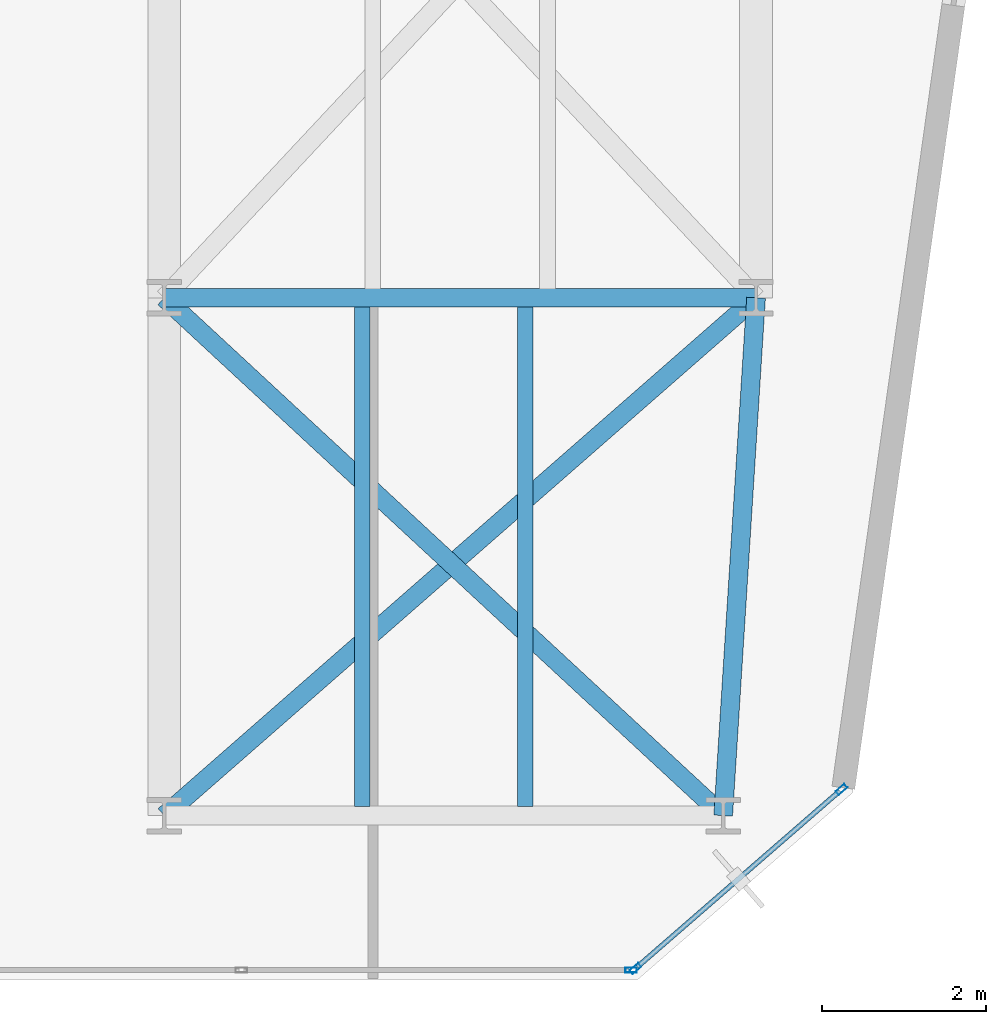
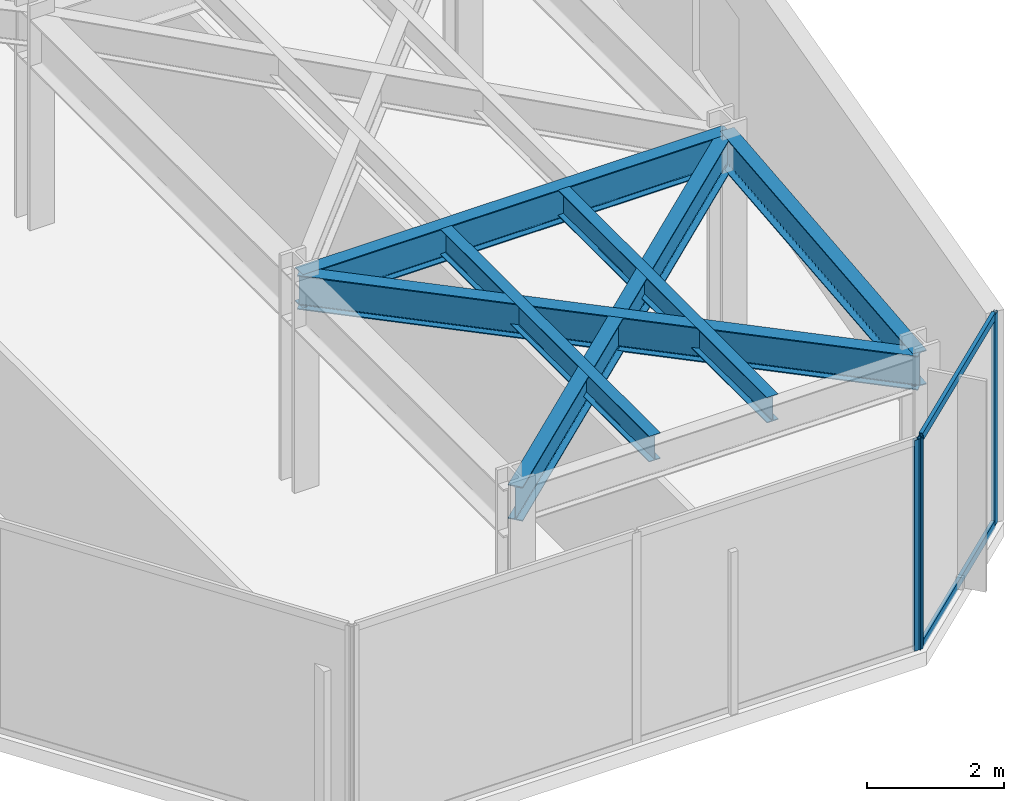
# One storey, part 19 of 26: 6 beams, 5 members, 2 elements without a shape of their own.
"""IFC4 building model written with IfcOpenShell, lengths in metres."""

import ifcopenshell
import ifcopenshell.guid

model = None  # the IFC model being written
_history = None  # IfcOwnerHistory: only IFC2X3 demands one
_inside = {}  # id of a spatial element -> (the spatial element, [elements in it])
_under = {}  # id of a project, library or spatial element -> (it, [spatial elements below it])
_declared = {}  # id of a project -> (the project, [libraries it declares])
_typed = {}  # id of a type object -> (the type object, [elements of that type])
_made_of = {}  # id of a material, layer set ... -> (it, [elements and type objects made of it])


def new_model(schema):
    """Start an empty IFC model of exactly this schema.

    Asked for "IFC4X3", IfcOpenShell would pick the latest addendum, in which some entities
    have other attributes; the version numbers below select the first issue.
    IFC2X3 requires an IfcOwnerHistory on every rooted entity: one is made here for all.
    """
    global model, _history
    if schema == "IFC4X3":
        model = ifcopenshell.file(schema_version=(4, 3, 0, 0))
    else:
        model = ifcopenshell.file(schema=schema)
    _inside.clear()
    _under.clear()
    _declared.clear()
    _typed.clear()
    _made_of.clear()
    _history = None
    if model.schema == "IFC2X3":
        org = make("IfcOrganization", Name="unknown")
        user = make(
            "IfcPersonAndOrganization",
            ThePerson=make("IfcPerson", FamilyName="unknown"),
            TheOrganization=org,
        )
        app = make(
            "IfcApplication",
            ApplicationDeveloper=org,
            Version="unknown",
            ApplicationFullName="unknown",
            ApplicationIdentifier="unknown",
        )
        _history = make(
            "IfcOwnerHistory",
            OwningUser=user,
            OwningApplication=app,
            ChangeAction="ADDED",
            CreationDate=0,
        )
    return model


def make(cls, **values):
    """One entity of the class cls with the attributes given. An attribute that is None is left unset."""
    return model.create_entity(
        cls, **{name: value for name, value in values.items() if value is not None}
    )


def rooted(cls, **values):
    """An entity with a GlobalId (a new one), such as an element, a storey or a relation."""
    return make(cls, GlobalId=ifcopenshell.guid.new(), OwnerHistory=_history, **values)


def si_unit(unit_type, name, prefix=None):
    """IfcSIUnit, for example si_unit("LENGTHUNIT", "METRE", prefix="MILLI")."""
    return make("IfcSIUnit", UnitType=unit_type, Prefix=prefix, Name=name)


def assignment(units):
    """IfcUnitAssignment: the units of a project."""
    return None if units is None else make("IfcUnitAssignment", Units=units)


def point(xyz):
    """IfcCartesianPoint."""
    return None if xyz is None else make("IfcCartesianPoint", Coordinates=xyz)


def direction(xyz):
    """IfcDirection."""
    return None if xyz is None else make("IfcDirection", DirectionRatios=xyz)


def frame(location, z_axis=None, x_axis=None):
    """IfcAxis2Placement3D, a coordinate frame: its origin and axes. An axis left out is left unset."""
    return make(
        "IfcAxis2Placement3D",
        Location=point(location),
        Axis=direction(z_axis),
        RefDirection=direction(x_axis),
    )


def frame_2d(location, x_axis=None):
    """IfcAxis2Placement2D, a coordinate frame in the plane: its origin and x axis."""
    return make(
        "IfcAxis2Placement2D", Location=point(location), RefDirection=direction(x_axis)
    )


def origin():
    """The frame at (0, 0, 0) with its axes left unset."""
    return frame((0.0, 0.0, 0.0))


def origin_2d():
    """The frame at (0, 0) in the plane with its x axis left unset."""
    return frame_2d((0.0, 0.0))


def place(relative_to, where):
    """IfcLocalPlacement: puts the frame where relative to a parent placement (None: the world)."""
    return make(
        "IfcLocalPlacement", PlacementRelTo=relative_to, RelativePlacement=where
    )


def context(
    kind, dimensions, precision=None, world=None, true_north=None, identifier=None
):
    """IfcGeometricRepresentationContext, for example the 3D "Model" context."""
    return make(
        "IfcGeometricRepresentationContext",
        ContextIdentifier=identifier,
        ContextType=kind,
        CoordinateSpaceDimension=dimensions,
        Precision=precision,
        WorldCoordinateSystem=world,
        TrueNorth=true_north,
    )


def subcontext(parent, identifier, kind, view, scale=None):
    """IfcGeometricRepresentationSubContext, for example "Body" below "Model"."""
    return make(
        "IfcGeometricRepresentationSubContext",
        ContextIdentifier=identifier,
        ContextType=kind,
        ParentContext=parent,
        TargetScale=scale,
        TargetView=view,
    )


def project(units=None, contexts=None):
    """IfcProject with its units and contexts."""
    return rooted(
        "IfcProject",
        Name="project",
        RepresentationContexts=contexts,
        UnitsInContext=assignment(units),
    )


def spatial(cls, under=None, at=None, **own):
    """A site, building, storey or space (cls), placed at a placement, below another one or the project."""
    s = rooted(cls, ObjectPlacement=at, **own)
    if under is not None:
        _under.setdefault(under.id(), (under, []))[1].append(s)
    return s


def profile(cls, at=None, kind="AREA", **sizes):
    """A parametric profile (cls). Its sizes go by their IFC names, for example OverallWidth=200.0."""
    return make(cls, ProfileType=kind, Position=at, **sizes)


def hollow_rectangle(**sizes):
    """IfcRectangleHollowProfileDef."""
    return profile("IfcRectangleHollowProfileDef", **sizes)


def i_section(**sizes):
    """IfcIShapeProfileDef."""
    return profile("IfcIShapeProfileDef", **sizes)


def extrude(swept, where, along, depth):
    """IfcExtrudedAreaSolid: the profile swept, set in the frame where, extruded along a direction by depth."""
    return make(
        "IfcExtrudedAreaSolid",
        SweptArea=swept,
        Position=where,
        ExtrudedDirection=direction(along),
        Depth=depth,
    )


def shape(context_of_items, identifier, shape_type, items):
    """IfcShapeRepresentation: the items that make up one representation, for example the "Body"."""
    return make(
        "IfcShapeRepresentation",
        ContextOfItems=context_of_items,
        RepresentationIdentifier=identifier,
        RepresentationType=shape_type,
        Items=items,
    )


def material(Name=None, Category=None):
    """IfcMaterial."""
    return make("IfcMaterial", Name=Name, Category=Category)


def layer(
    of_material, thickness, ventilated=None, Name=None, Category=None, Priority=None
):
    """IfcMaterialLayer: one layer of a wall or slab, of a material (None: an air gap)."""
    return make(
        "IfcMaterialLayer",
        Material=of_material,
        LayerThickness=thickness,
        IsVentilated=ventilated,
        Name=Name,
        Category=Category,
        Priority=Priority,
    )


def layer_set(layers, Name=None):
    """IfcMaterialLayerSet."""
    return make("IfcMaterialLayerSet", MaterialLayers=layers, LayerSetName=Name)


def material_profile(
    of_material, cross_section, Name=None, Category=None, Priority=None
):
    """IfcMaterialProfile: a cross section and its material."""
    return make(
        "IfcMaterialProfile",
        Name=Name,
        Material=of_material,
        Profile=cross_section,
        Priority=Priority,
        Category=Category,
    )


def profile_set(profiles, Name=None, composite=None):
    """IfcMaterialProfileSet."""
    return make(
        "IfcMaterialProfileSet",
        Name=Name,
        MaterialProfiles=profiles,
        CompositeProfile=composite,
    )


def made_of(thing, what):
    """Note that an element or type object is made of a material, layer set ...; save() writes the relation."""
    if what is not None:
        _made_of.setdefault(what.id(), (what, []))[1].append(thing)
    return thing


def type_object(cls, material=None, **own):
    """A type object (cls), such as IfcWallType, which elements share."""
    return made_of(rooted(cls, **own), material)


def element(
    cls,
    number,
    at=None,
    inside=None,
    cuts=None,
    type_object=None,
    material=None,
    context=None,
    identifier="Body",
    shape_type=None,
    held_by="IfcProductDefinitionShape",
    body=None,
    shapes=None,
    **own,
):
    """One element of the class cls, such as IfcWall. Its Tag is "e" and its number.

    at: its placement. inside: the storey or other place that contains it. cuts: it is an
    opening in that element (IfcRelVoidsElement). A single representation is given by context,
    identifier, shape_type and body (its items); several are given by shapes. held_by: the class
    of the entity that holds the representations. save() writes the other relations.
    """
    e = rooted(cls, Tag="e%d" % number, ObjectPlacement=at, **own)
    if body is not None:
        shapes = [shape(context, identifier, shape_type, body)]
    if shapes is not None:
        e.Representation = make(held_by, Representations=shapes)
    if inside is not None:
        _inside.setdefault(inside.id(), (inside, []))[1].append(e)
    if cuts is not None:
        rooted(
            "IfcRelVoidsElement", RelatingBuildingElement=cuts, RelatedOpeningElement=e
        )
    if type_object is not None:
        _typed.setdefault(type_object.id(), (type_object, []))[1].append(e)
    return made_of(e, material)


def aggregate(whole, parts):
    """IfcRelAggregates: a whole, such as a stair, and the parts it consists of."""
    return rooted("IfcRelAggregates", RelatingObject=whole, RelatedObjects=parts)


def save(model, path):
    """Write the relations noted so far, then the file.

    IfcRelAggregates (storeys below a building ...), IfcRelContainedInSpatialStructure (elements
    in a storey), IfcRelDefinesByType, IfcRelAssociatesMaterial and IfcRelDeclares: one each for
    every whole, place, type object, material and project.
    """
    for whole, parts in _under.values():
        aggregate(whole, parts)
    for where, things in _inside.values():
        rooted(
            "IfcRelContainedInSpatialStructure",
            RelatedElements=things,
            RelatingStructure=where,
        )
    for kind, things in _typed.values():
        rooted("IfcRelDefinesByType", RelatedObjects=things, RelatingType=kind)
    for what, things in _made_of.values():
        rooted("IfcRelAssociatesMaterial", RelatedObjects=things, RelatingMaterial=what)
    for by, libraries in _declared.values():
        rooted("IfcRelDeclares", RelatingContext=by, RelatedDefinitions=libraries)
    model.write(path)


model = new_model("IFC4")

# Units and contexts
model_context = context("Model", 3, precision=1e-05, world=origin(), true_north=direction((0.0, 1.0)))
body_context = subcontext(model_context, "Body", "Model", "MODEL_VIEW")
ifc_project = project(units=[si_unit("LENGTHUNIT", "METRE"), si_unit("AREAUNIT", "SQUARE_METRE"), si_unit("VOLUMEUNIT", "CUBIC_METRE"), si_unit("PLANEANGLEUNIT", "RADIAN"), si_unit("MASSUNIT", "GRAM", prefix="KILO")], contexts=[model_context])

# Site, building, storey
site_placement = place(None, origin())
site = spatial("IfcSite", under=ifc_project, at=site_placement, CompositionType="ELEMENT")
building_placement = place(site_placement, origin())
building = spatial("IfcBuilding", under=site, at=building_placement, Name="Kravanh Interchange Tower", CompositionType="ELEMENT")
storey_placement = place(building_placement, frame((0.0, 0.0, 140.0)))
storey = spatial("IfcBuildingStorey", under=building, at=storey_placement, Name="L33", CompositionType="ELEMENT", Elevation=140.0)

# Curtain wall, members
ifc_material_1 = material(Name="Anodised Bronze Aluminium", Category="aluminium")
ifc_layer = layer(ifc_material_1, 0.179931640625)
ifc_layer_set = layer_set([ifc_layer], Name="Unitised Curtain Wall System CW-Z2 Mid Office")
curtain_wall_type = type_object("IfcCurtainWallType", Name="Unitised Curtain Wall System CW-Z2 Mid Office", PredefinedType="NOTDEFINED", material=ifc_layer_set)
curtain_wall_1_placement = place(storey_placement, origin())
curtain_wall_1 = element("IfcCurtainWall", 1, at=curtain_wall_1_placement, inside=storey, type_object=curtain_wall_type, Name="L33 Unitised Curtain Wall CW-L33-02", PredefinedType="NOTDEFINED")
ifc_material_2 = material(Name="Anodised Bronze Aluminium", Category="aluminium")
ifc_material_profile_1 = material_profile(ifc_material_2, hollow_rectangle(XDim=0.06005859375, YDim=0.139892578125, WallThickness=0.00390625, at=origin_2d()), Name="ALU60X140X4")
ifc_profile_set_1 = profile_set([ifc_material_profile_1], Name="Anodised Bronze Aluminium")
member_type_1 = type_object("IfcMemberType", Name="Curtain Wall Mullion ALU60X140X4 Bronze", PredefinedType="MULLION", material=ifc_profile_set_1)
member_1_placement = place(storey_placement, frame((64.239990234375, 8.51904296875, 0.0), z_axis=(0.0, 0.0, 1.0), x_axis=(0.656047665617, -0.754719458103, 0.0)))
member_1 = element("IfcMember", 2, at=member_1_placement, type_object=member_type_1, Name="CW-Z2 mullion 1", PredefinedType="MULLION", context=body_context, shape_type="SweptSolid", body=[
    extrude(hollow_rectangle(XDim=0.06005859375, YDim=0.139892578125, WallThickness=0.00390625, at=origin_2d()), origin(), (0.0, 0.0, 1.0), 3.75),
])
member_2_placement = place(storey_placement, frame((61.73291015625, 6.339599609375, 0.0), z_axis=(0.0, 0.0, 1.0), x_axis=(0.656047665617, -0.754719458103, 0.0)))
member_2 = element("IfcMember", 3, at=member_2_placement, type_object=member_type_1, Name="CW-Z2 mullion 2", PredefinedType="MULLION", context=body_context, shape_type="SweptSolid", body=[
    extrude(hollow_rectangle(XDim=0.06005859375, YDim=0.139892578125, WallThickness=0.00390625, at=origin_2d()), origin(), (0.0, 0.0, 1.0), 3.75),
])

# Curtain wall, member
curtain_wall_2_placement = place(storey_placement, origin())
curtain_wall_2 = element("IfcCurtainWall", 4, at=curtain_wall_2_placement, inside=storey, type_object=curtain_wall_type, Name="L33 Unitised Curtain Wall CW-L33-03", PredefinedType="NOTDEFINED")
member_3_placement = place(storey_placement, frame((61.68017578125, 6.320068359375, 0.0), z_axis=(0.0, 0.0, 1.0), x_axis=(0.0, -1.0, 0.0)))
member_3 = element("IfcMember", 5, at=member_3_placement, type_object=member_type_1, Name="CW-Z2 mullion 1", PredefinedType="MULLION", context=body_context, shape_type="SweptSolid", body=[
    extrude(hollow_rectangle(XDim=0.06005859375, YDim=0.139892578125, WallThickness=0.00390625, at=origin_2d()), origin(), (0.0, 0.0, 1.0), 3.75),
])
aggregate(curtain_wall_2, [member_3])

# Member
ifc_material_3 = material(Name="Anodised Bronze Aluminium", Category="aluminium")
ifc_material_profile_2 = material_profile(ifc_material_3, hollow_rectangle(XDim=0.06005859375, YDim=0.139892578125, WallThickness=0.00390625, at=origin_2d()), Name="ALU60X140X4")
ifc_profile_set_2 = profile_set([ifc_material_profile_2], Name="Anodised Bronze Aluminium")
member_type_2 = type_object("IfcMemberType", Name="Curtain Wall Transom ALU60X140X4 Bronze", PredefinedType="USERDEFINED", material=ifc_profile_set_2)
member_4_placement = place(storey_placement, frame((64.21728515625, 8.499267578125, 0.030029296875), z_axis=(-0.754742467432, -0.656021194669, 0.0), x_axis=(0.656021194669, -0.754742467432, 0.0)))
member_4 = element("IfcMember", 6, at=member_4_placement, type_object=member_type_2, Name="CW-Z2 transom 1.1", ObjectType="TRANSOM", PredefinedType="USERDEFINED", context=body_context, shape_type="SweptSolid", body=[
    extrude(hollow_rectangle(XDim=0.06005859375, YDim=0.139892578125, WallThickness=0.00390625, at=origin_2d()), origin(), (0.0, 0.0, 1.0), 3.261962890625),
])

member_5_placement = place(storey_placement, frame((64.21728515625, 8.499267578125, 3.719970703125), z_axis=(-0.754742467432, -0.656021194669, 0.0), x_axis=(0.656021194669, -0.754742467432, 0.0)))
member_5 = element("IfcMember", 7, at=member_5_placement, type_object=member_type_2, Name="CW-Z2 transom 1.2", ObjectType="TRANSOM", PredefinedType="USERDEFINED", context=body_context, shape_type="SweptSolid", body=[
    extrude(hollow_rectangle(XDim=0.06005859375, YDim=0.139892578125, WallThickness=0.00390625, at=origin_2d()), origin(), (0.0, 0.0, 1.0), 3.261962890625),
])

aggregate(curtain_wall_1, [member_1, member_2, member_4, member_5])

# Beams
ifc_material_4 = material(Name="Structural Steel S355", Category="steel")
ifc_material_profile_3 = material_profile(ifc_material_4, i_section(OverallWidth=0.18994140625, OverallDepth=0.45703125, WebThickness=0.009033203125, FlangeThickness=0.014404296875, FilletRadius=0.01806640625, at=origin_2d()), Name="W18X50")
ifc_profile_set_3 = profile_set([ifc_material_profile_3], Name="Structural Steel S355")
beam_type_1 = type_object("IfcBeamType", Name="Floor Joist W18X50 Structural Steel S355", PredefinedType="JOIST", material=ifc_profile_set_3)
for number, where, z_axis, x_axis, name in (
    (8, (58.409912109375, 8.30908203125, 3.521484375), (0.0, 1.0, 0.0), (-1.0, 0.0, 0.0), "L33 Secondary Floor Joist 3"),
    (9, (60.389892578125, 8.30908203125, 3.521484375), (0.0, 1.0, 0.0), (-1.0, 0.0, 0.0), "L33 Secondary Floor Joist 4"),
):
    element("IfcBeam", number, at=place(storey_placement, frame(where, z_axis=z_axis, x_axis=x_axis)), inside=storey, type_object=beam_type_1, Name=name, PredefinedType="JOIST", context=body_context, shape_type="SweptSolid", body=[
        extrude(i_section(OverallWidth=0.18994140625, OverallDepth=0.45703125, WebThickness=0.009033203125, FlangeThickness=0.014404296875, FilletRadius=0.01806640625, at=origin_2d()), origin(), (0.0, 0.0, 1.0), 6.08203125),
    ])
ifc_material_5 = material(Name="Structural Steel S355", Category="steel")
ifc_material_profile_4 = material_profile(ifc_material_5, i_section(OverallWidth=0.22802734375, OverallDepth=0.60791015625, WebThickness=0.01123046875, FlangeThickness=0.017333984375, FilletRadius=0.02197265625, at=origin_2d()), Name="W24X76")
ifc_profile_set_4 = profile_set([ifc_material_profile_4], Name="Structural Steel S355")
beam_type_2 = type_object("IfcBeamType", Name="Floor Spandrel W24X76 Structural Steel S355", PredefinedType="SPANDREL", material=ifc_profile_set_4)
beam_1_placement = place(storey_placement, frame((56.0, 8.199951171875, 3.446044921875), z_axis=(0.752571952274, 0.658510027752, 0.0), x_axis=(-0.658510027752, 0.752571952274, 0.0)))
element("IfcBeam", 10, at=beam_1_placement, inside=storey, type_object=beam_type_2, Name="L33 Perimeter Spandrel 97", PredefinedType="SPANDREL", context=body_context, shape_type="SweptSolid", body=[
    extrude(i_section(OverallWidth=0.22802734375, OverallDepth=0.60791015625, WebThickness=0.01123046875, FlangeThickness=0.017333984375, FilletRadius=0.02197265625, at=origin_2d()), origin(), (0.0, 0.0, 1.0), 9.567138671875),
])
beam_2_placement = place(storey_placement, frame((62.800048828125, 8.199951171875, 3.446044921875), z_axis=(0.063348576418, 0.99799146182, 0.0), x_axis=(-0.99799146182, 0.063348576418, 0.0)))
element("IfcBeam", 11, at=beam_2_placement, inside=storey, type_object=beam_type_2, Name="L33 Perimeter Spandrel 98", PredefinedType="SPANDREL", context=body_context, shape_type="SweptSolid", body=[
    extrude(i_section(OverallWidth=0.22802734375, OverallDepth=0.60791015625, WebThickness=0.01123046875, FlangeThickness=0.017333984375, FilletRadius=0.02197265625, at=origin_2d()), origin(), (0.0, 0.0, 1.0), 6.312744140625),
])
beam_3_placement = place(storey_placement, frame((62.800048828125, 8.199951171875, 3.446044921875), z_axis=(-0.733561267923, 0.679623326706, 0.0), x_axis=(-0.679623326706, -0.733561267923, 0.0)))
element("IfcBeam", 12, at=beam_3_placement, inside=storey, type_object=beam_type_2, Name="L33 Perimeter Spandrel 99", PredefinedType="SPANDREL", context=body_context, shape_type="SweptSolid", body=[
    extrude(i_section(OverallWidth=0.22802734375, OverallDepth=0.60791015625, WebThickness=0.01123046875, FlangeThickness=0.017333984375, FilletRadius=0.02197265625, at=origin_2d()), origin(), (0.0, 0.0, 1.0), 9.27001953125),
])
beam_4_placement = place(storey_placement, frame((56.0, 14.5, 3.446044921875), z_axis=(1.0, 0.0, 0.0), x_axis=(0.0, 1.0, 0.0)))
element("IfcBeam", 13, at=beam_4_placement, inside=storey, type_object=beam_type_2, Name="L33 Perimeter Spandrel 103", PredefinedType="SPANDREL", context=body_context, shape_type="SweptSolid", body=[
    extrude(i_section(OverallWidth=0.22802734375, OverallDepth=0.60791015625, WebThickness=0.01123046875, FlangeThickness=0.017333984375, FilletRadius=0.02197265625, at=origin_2d()), origin(), (0.0, 0.0, 1.0), 7.199951171875),
])

save(model, "model.ifc")
